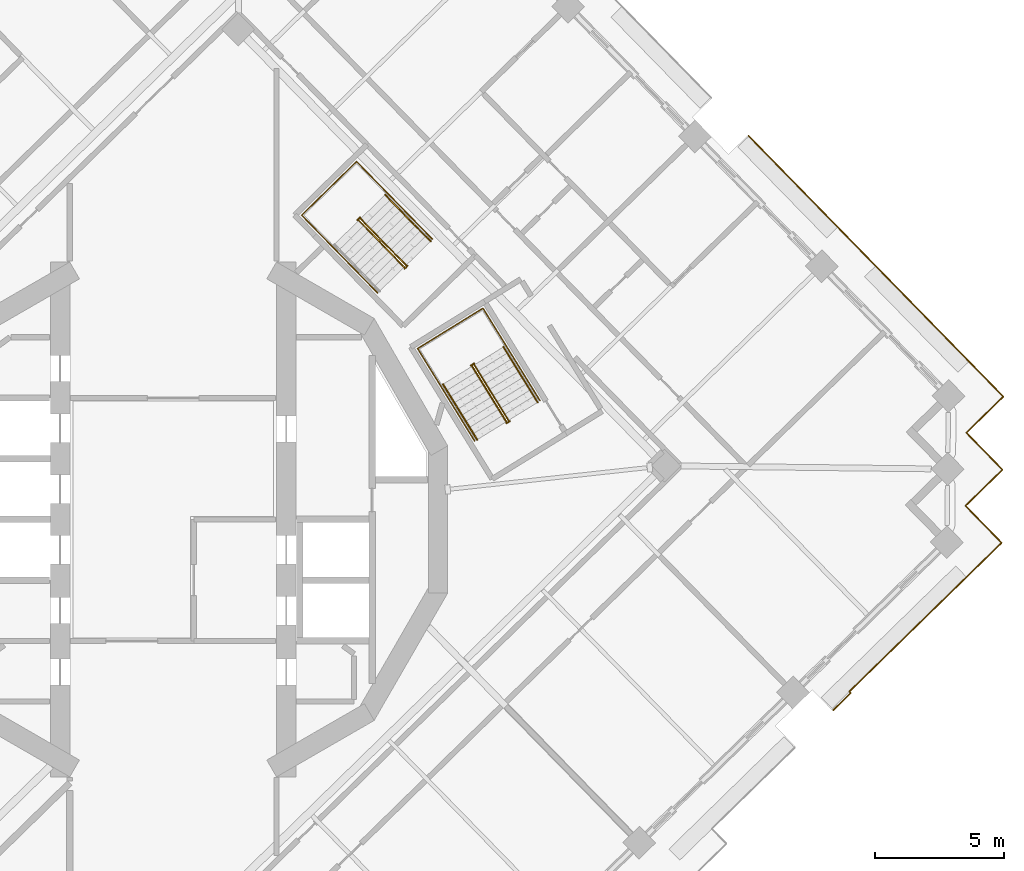
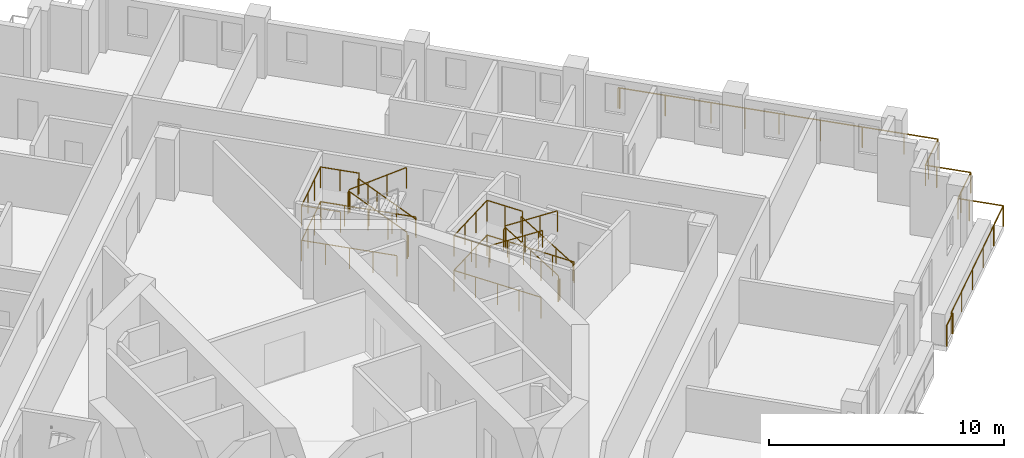
# One storey, part 17 of 19: 14 railings.
"""IFC4 building model written with IfcOpenShell, lengths in metres."""

from ifc_helpers import new_model, si_unit, direction, frame, origin, origin_2d, place, context, subcontext, project, spatial, circle, extrude, material, type_object, element, save


model = new_model("IFC4")

# Units and contexts
model_context = context("Model", 3, precision=1e-05, world=origin(), true_north=direction((0.0, 1.0)))
body_context = subcontext(model_context, "Body", "Model", "MODEL_VIEW")
ifc_project = project(units=[si_unit("LENGTHUNIT", "METRE"), si_unit("AREAUNIT", "SQUARE_METRE"), si_unit("VOLUMEUNIT", "CUBIC_METRE"), si_unit("PLANEANGLEUNIT", "RADIAN"), si_unit("MASSUNIT", "GRAM", prefix="KILO")], contexts=[model_context])

# Site, building, storey
site_placement = place(None, origin())
site = spatial("IfcSite", under=ifc_project, at=site_placement, CompositionType="ELEMENT")
building_placement = place(site_placement, origin())
building = spatial("IfcBuilding", under=site, at=building_placement, Name="Cantera Rosa Tower", CompositionType="ELEMENT")
storey_placement = place(building_placement, frame((0.0, 0.0, 241.39990234375)))
storey = spatial("IfcBuildingStorey", under=building, at=storey_placement, Name="L53", CompositionType="ELEMENT", Elevation=241.39990234375)

# Railings
ifc_material_1 = material(Name="Stainless steel and laminated glass", Category="steel")
railing_type_1 = type_object("IfcRailingType", Name="GUARD 1100", PredefinedType="BALUSTRADE", material=ifc_material_1)
railing_1_placement = place(storey_placement, frame((22.26416015625, 14.845703125, 0.0)))
element("IfcRailing", 1, at=railing_1_placement, inside=storey, type_object=railing_type_1, Name="GUARD L53-5", PredefinedType="BALUSTRADE", context=body_context, shape_type="SweptSolid", body=[
    extrude(circle(Radius=0.030029296875, at=origin_2d()), frame((0.0, 0.0, 1.070068359375), z_axis=(0.700106234421, -0.714038696798, 0.0), x_axis=(0.714038696798, 0.700106234421, 0.0)), (0.0, 0.0, 1.0), 0.070068359375),
    extrude(circle(Radius=0.030029296875, at=origin_2d()), frame((0.049072265625, -0.050048828125, 1.070068359375), z_axis=(0.698829866575, -0.715287926351, 0.0), x_axis=(0.715287926351, 0.698829866575, 0.0)), (0.0, 0.0, 1.0), 4.02001953125),
    extrude(circle(Radius=0.030029296875, at=origin_2d()), frame((2.8583984375, -2.925537109375, 1.070068359375), z_axis=(0.698839281014, -0.715278728407, 0.0), x_axis=(0.715278728407, 0.698839281014, 0.0)), (0.0, 0.0, 1.0), 3.0),
    extrude(circle(Radius=0.030029296875, at=origin_2d()), frame((4.954833984375, -5.0712890625, 1.070068359375), z_axis=(0.698810055914, -0.715307280652, 0.0), x_axis=(0.715307280652, 0.698810055914, 0.0)), (0.0, 0.0, 1.0), 5.52001953125),
    extrude(circle(Radius=0.030029296875, at=origin_2d()), frame((8.812255859375, -9.019775390625, 1.070068359375), z_axis=(0.698921594874, -0.71519829713, 0.0), x_axis=(0.71519829713, 0.698921594874, 0.0)), (0.0, 0.0, 1.0), 1.5),
    extrude(circle(Radius=0.030029296875, at=origin_2d()), frame((9.860595703125, -10.092529296875, 1.070068359375), z_axis=(-0.715277793538, -0.698840237873, 0.0), x_axis=(0.698840237873, -0.715277793538, 0.0)), (0.0, 0.0, 1.0), 1.5),
    extrude(circle(Radius=0.030029296875, at=origin_2d()), frame((8.78759765625, -11.140869140625, 1.070068359375), z_axis=(-0.715359149995, -0.698756958118, 0.0), x_axis=(0.698756958118, -0.715359149995, 0.0)), (0.0, 0.0, 1.0), 0.5),
    extrude(circle(Radius=0.030029296875, at=origin_2d()), frame((8.429931640625, -11.490234375, 1.070068359375), z_axis=(0.699006712162, -0.715115107065, 0.0), x_axis=(0.715115107065, 0.699006712162, 0.0)), (0.0, 0.0, 1.0), 0.500244140625),
    extrude(circle(Radius=0.030029296875, at=origin_2d()), frame((8.779541015625, -11.847900390625, 1.070068359375), z_axis=(0.698756958118, -0.715359149995, 0.0), x_axis=(0.715359149995, 0.698756958118, 0.0)), (0.0, 0.0, 1.0), 1.5),
    extrude(circle(Radius=0.030029296875, at=origin_2d()), frame((9.82763671875, -12.9208984375, 1.070068359375), z_axis=(-0.71519829713, -0.698921594874, 0.0), x_axis=(0.698921594874, -0.71519829713, 0.0)), (0.0, 0.0, 1.0), 1.5),
    extrude(circle(Radius=0.030029296875, at=origin_2d()), frame((8.7548828125, -13.96923828125, 1.070068359375), z_axis=(-0.715359149995, -0.698756958118, 0.0), x_axis=(0.698756958118, -0.715359149995, 0.0)), (0.0, 0.0, 1.0), 0.5),
    extrude(circle(Radius=0.030029296875, at=origin_2d()), frame((8.397216796875, -14.318603515625, 1.070068359375), z_axis=(0.698756958118, -0.715359149995, 0.0), x_axis=(0.715359149995, 0.698756958118, 0.0)), (0.0, 0.0, 1.0), 0.5),
    extrude(circle(Radius=0.030029296875, at=origin_2d()), frame((8.74658203125, -14.67626953125, 1.070068359375), z_axis=(0.698838323933, -0.71527966349, 0.0), x_axis=(0.71527966349, 0.698838323933, 0.0)), (0.0, 0.0, 1.0), 1.499755859375),
    extrude(circle(Radius=0.030029296875, at=origin_2d()), frame((9.794677734375, -15.7490234375, 1.070068359375), z_axis=(-0.71519829713, -0.698921594874, 0.0), x_axis=(0.698921594874, -0.71519829713, 0.0)), (0.0, 0.0, 1.0), 1.5),
    extrude(circle(Radius=0.030029296875, at=origin_2d()), frame((8.721923828125, -16.79736328125, 1.070068359375), z_axis=(-0.715299537719, -0.698817981551, 0.0), x_axis=(0.698817981551, -0.715299537719, 0.0)), (0.0, 0.0, 1.0), 6.739990234375),
    extrude(circle(Radius=0.030029296875, at=origin_2d()), frame((3.90087890625, -21.50732421875, 1.070068359375), z_axis=(0.699463047568, -0.714668765994, 0.0), x_axis=(0.714668765994, 0.699463047568, 0.0)), (0.0, 0.0, 1.0), 0.080322265625),
    extrude(circle(Radius=0.030029296875, at=origin_2d()), frame((3.95703125, -21.564697265625, 1.070068359375), z_axis=(-0.715280598787, -0.698837366631, 0.0), x_axis=(0.698837366631, -0.715280598787, 0.0)), (0.0, 0.0, 1.0), 0.9501953125),
    extrude(circle(Radius=0.02490234375, at=origin_2d()), origin(), (0.0, 0.0, 1.0), 1.0400390625),
    extrude(circle(Radius=0.02490234375, at=origin_2d()), frame((0.049072265625, -0.050048828125, 0.0)), (0.0, 0.0, 1.0), 1.0400390625),
    extrude(circle(Radius=0.02490234375, at=origin_2d()), frame((1.45361328125, -1.48779296875, 0.0)), (0.0, 0.0, 1.0), 1.0400390625),
    extrude(circle(Radius=0.02490234375, at=origin_2d()), frame((2.8583984375, -2.925537109375, 0.0)), (0.0, 0.0, 1.0), 1.0400390625),
    extrude(circle(Radius=0.02490234375, at=origin_2d()), frame((3.90673828125, -3.99853515625, 0.0)), (0.0, 0.0, 1.0), 1.0400390625),
    extrude(circle(Radius=0.02490234375, at=origin_2d()), frame((4.954833984375, -5.0712890625, 0.0)), (0.0, 0.0, 1.0), 1.0400390625),
    extrude(circle(Radius=0.02490234375, at=origin_2d()), frame((6.24072265625, -6.387451171875, 0.0)), (0.0, 0.0, 1.0), 1.0400390625),
    extrude(circle(Radius=0.02490234375, at=origin_2d()), frame((7.5263671875, -7.70361328125, 0.0)), (0.0, 0.0, 1.0), 1.0400390625),
    extrude(circle(Radius=0.02490234375, at=origin_2d()), frame((8.812255859375, -9.019775390625, 0.0)), (0.0, 0.0, 1.0), 1.0400390625),
    extrude(circle(Radius=0.02490234375, at=origin_2d()), frame((9.860595703125, -10.092529296875, 0.0)), (0.0, 0.0, 1.0), 1.0400390625),
    extrude(circle(Radius=0.02490234375, at=origin_2d()), frame((8.78759765625, -11.140869140625, 0.0)), (0.0, 0.0, 1.0), 1.0400390625),
    extrude(circle(Radius=0.02490234375, at=origin_2d()), frame((8.429931640625, -11.490234375, 0.0)), (0.0, 0.0, 1.0), 1.0400390625),
    extrude(circle(Radius=0.02490234375, at=origin_2d()), frame((8.779541015625, -11.847900390625, 0.0)), (0.0, 0.0, 1.0), 1.0400390625),
    extrude(circle(Radius=0.02490234375, at=origin_2d()), frame((9.82763671875, -12.9208984375, 0.0)), (0.0, 0.0, 1.0), 1.0400390625),
    extrude(circle(Radius=0.02490234375, at=origin_2d()), frame((8.7548828125, -13.96923828125, 0.0)), (0.0, 0.0, 1.0), 1.0400390625),
    extrude(circle(Radius=0.02490234375, at=origin_2d()), frame((8.397216796875, -14.318603515625, 0.0)), (0.0, 0.0, 1.0), 1.0400390625),
    extrude(circle(Radius=0.02490234375, at=origin_2d()), frame((8.74658203125, -14.67626953125, 0.0)), (0.0, 0.0, 1.0), 1.0400390625),
    extrude(circle(Radius=0.02490234375, at=origin_2d()), frame((9.794677734375, -15.7490234375, 0.0)), (0.0, 0.0, 1.0), 1.0400390625),
    extrude(circle(Radius=0.02490234375, at=origin_2d()), frame((8.721923828125, -16.79736328125, 0.0)), (0.0, 0.0, 1.0), 1.0400390625),
    extrude(circle(Radius=0.02490234375, at=origin_2d()), frame((7.5166015625, -17.974853515625, 0.0)), (0.0, 0.0, 1.0), 1.0400390625),
    extrude(circle(Radius=0.02490234375, at=origin_2d()), frame((6.3115234375, -19.15234375, 0.0)), (0.0, 0.0, 1.0), 1.0400390625),
    extrude(circle(Radius=0.02490234375, at=origin_2d()), frame((5.106201171875, -20.329833984375, 0.0)), (0.0, 0.0, 1.0), 1.0400390625),
    extrude(circle(Radius=0.02490234375, at=origin_2d()), frame((3.90087890625, -21.50732421875, 0.0)), (0.0, 0.0, 1.0), 1.0400390625),
    extrude(circle(Radius=0.02490234375, at=origin_2d()), frame((3.95703125, -21.564697265625, 0.0)), (0.0, 0.0, 1.0), 1.0400390625),
    extrude(circle(Radius=0.02490234375, at=origin_2d()), frame((3.27734375, -22.228759765625, 0.0)), (0.0, 0.0, 1.0), 1.0400390625),
])
ifc_material_2 = material(Name="Steel S355J2 (EN 10025-2)", Category="steel")
railing_type_2 = type_object("IfcRailingType", Name="STAIR GUARD 1100", PredefinedType="GUARDRAIL", material=ifc_material_2)
railing_2_placement = place(storey_placement, frame((12.9765625, 3.834228515625, 0.18017578125)))
element("IfcRailing", 2, at=railing_2_placement, inside=storey, type_object=railing_type_2, Name="L53 ST-41 stair guard 1", PredefinedType="GUARDRAIL", context=body_context, shape_type="SweptSolid", body=[
    extrude(circle(Radius=0.02392578125, at=origin_2d()), frame((0.0, 0.0, 1.076171875), z_axis=(-0.441562923896, 0.715970890813, 0.540747508315), x_axis=(-0.851145618652, -0.524929648476, 0.0)), (0.0, 0.0, 1.0), 2.99560546875),
    extrude(circle(Radius=0.02392578125, at=origin_2d()), frame((-1.32275390625, 2.144775390625, 2.69580078125), z_axis=(-0.073711968402, 0.997279572494, 0.0), x_axis=(-0.997279572494, -0.073711968402, 0.0)), (0.0, 0.0, 1.0), 0.056396484375),
    extrude(circle(Radius=0.02392578125, at=origin_2d()), frame((-1.326904296875, 2.200927734375, 2.69580078125), z_axis=(-0.851546489876, -0.524279100842, 0.0), x_axis=(0.524279100842, -0.851546489876, 0.0)), (0.0, 0.0, 1.0), 0.14990234375),
    extrude(circle(Radius=0.02099609375, at=origin_2d()), origin(), (0.0, 0.0, 1.0), 1.052001953125),
    extrude(circle(Radius=0.02099609375, at=origin_2d()), frame((-0.44091796875, 0.71484375, 0.5400390625)), (0.0, 0.0, 1.0), 1.052001953125),
    extrude(circle(Radius=0.02099609375, at=origin_2d()), frame((-0.8818359375, 1.429931640625, 1.079833984375)), (0.0, 0.0, 1.0), 1.052001953125),
    extrude(circle(Radius=0.02099609375, at=origin_2d()), frame((-1.32275390625, 2.144775390625, 1.619873046875)), (0.0, 0.0, 1.0), 1.052001953125),
    extrude(circle(Radius=0.02099609375, at=origin_2d()), frame((-1.326904296875, 2.200927734375, 1.619873046875)), (0.0, 0.0, 1.0), 1.052001953125),
    extrude(circle(Radius=0.02099609375, at=origin_2d()), frame((-1.45458984375, 2.122314453125, 1.619873046875)), (0.0, 0.0, 1.0), 1.052001953125),
])
railing_3_placement = place(storey_placement, frame((11.5703125, 5.927490234375, 1.97998046875)))
element("IfcRailing", 3, at=railing_3_placement, inside=storey, type_object=railing_type_2, Name="L53 ST-41 stair guard 2", PredefinedType="GUARDRAIL", context=body_context, shape_type="SweptSolid", body=[
    extrude(circle(Radius=0.02392578125, at=origin_2d()), frame((0.0, 0.0, 1.076171875), z_axis=(0.441609067481, -0.715913574058, 0.540785711718), x_axis=(0.851102330005, 0.524999832248, 0.0)), (0.0, 0.0, 1.0), 2.995849609375),
    extrude(circle(Radius=0.02099609375, at=origin_2d()), origin(), (0.0, 0.0, 1.0), 1.052001953125),
    extrude(circle(Radius=0.02099609375, at=origin_2d()), frame((0.44091796875, -0.71484375, 0.5400390625)), (0.0, 0.0, 1.0), 1.052001953125),
    extrude(circle(Radius=0.02099609375, at=origin_2d()), frame((0.882080078125, -1.429931640625, 1.080078125)), (0.0, 0.0, 1.0), 1.052001953125),
    extrude(circle(Radius=0.02099609375, at=origin_2d()), frame((1.322998046875, -2.144775390625, 1.6201171875)), (0.0, 0.0, 1.0), 1.052001953125),
])
railing_4_placement = place(storey_placement, frame((13.025146484375, 3.80517578125, 0.0)))
element("IfcRailing", 4, at=railing_4_placement, inside=storey, type_object=railing_type_2, Name="L53 ST-41 stair guard 3", PredefinedType="GUARDRAIL", context=body_context, shape_type="SweptSolid", body=[
    extrude(circle(Radius=0.02392578125, at=origin_2d()), frame((0.0, 0.0, 1.076171875), z_axis=(-0.851546489876, -0.524279100842, 0.0), x_axis=(0.524279100842, -0.851546489876, 0.0)), (0.0, 0.0, 1.0), 0.14990234375),
    extrude(circle(Radius=0.02099609375, at=origin_2d()), origin(), (0.0, 0.0, 1.0), 1.052001953125),
    extrude(circle(Radius=0.02099609375, at=origin_2d()), frame((-0.127685546875, -0.07861328125, 0.0)), (0.0, 0.0, 1.0), 1.052001953125),
])
railing_5_placement = place(storey_placement, frame((14.192626953125, 4.59814453125, 0.0)))
element("IfcRailing", 5, at=railing_5_placement, inside=storey, type_object=railing_type_2, Name="L53 ST-41 stair guard 4", PredefinedType="GUARDRAIL", context=body_context, shape_type="SweptSolid", body=[
    extrude(circle(Radius=0.02392578125, at=origin_2d()), frame((0.0, 0.0, 1.076171875), z_axis=(-0.524976478809, 0.851116735059, 0.0), x_axis=(-0.851116735059, -0.524976478809, 0.0)), (0.0, 0.0, 1.0), 4.197998046875),
    extrude(circle(Radius=0.02392578125, at=origin_2d()), frame((-2.203857421875, 3.572998046875, 1.076171875), z_axis=(-0.851132917336, -0.524950242429, 0.0), x_axis=(0.524950242429, -0.851132917336, 0.0)), (0.0, 0.0, 1.0), 2.969970703125),
    extrude(circle(Radius=0.02392578125, at=origin_2d()), frame((-4.731689453125, 2.013916015625, 1.076171875), z_axis=(0.524976478809, -0.851116735059, 0.0), x_axis=(0.851116735059, 0.524976478809, 0.0)), (0.0, 0.0, 1.0), 4.197998046875),
    extrude(circle(Radius=0.02099609375, at=origin_2d()), origin(), (0.0, 0.0, 1.0), 1.052001953125),
    extrude(circle(Radius=0.02099609375, at=origin_2d()), frame((-0.551025390625, 0.893310546875, 0.0)), (0.0, 0.0, 1.0), 1.052001953125),
    extrude(circle(Radius=0.02099609375, at=origin_2d()), frame((-1.10205078125, 1.78662109375, 0.0)), (0.0, 0.0, 1.0), 1.052001953125),
    extrude(circle(Radius=0.02099609375, at=origin_2d()), frame((-1.65283203125, 2.6796875, 0.0)), (0.0, 0.0, 1.0), 1.052001953125),
    extrude(circle(Radius=0.02099609375, at=origin_2d()), frame((-2.203857421875, 3.572998046875, 0.0)), (0.0, 0.0, 1.0), 1.052001953125),
    extrude(circle(Radius=0.02099609375, at=origin_2d()), frame((-3.04638671875, 3.05322265625, 0.0)), (0.0, 0.0, 1.0), 1.052001953125),
    extrude(circle(Radius=0.02099609375, at=origin_2d()), frame((-3.88916015625, 2.53369140625, 0.0)), (0.0, 0.0, 1.0), 1.052001953125),
    extrude(circle(Radius=0.02099609375, at=origin_2d()), frame((-4.731689453125, 2.013916015625, 0.0)), (0.0, 0.0, 1.0), 1.052001953125),
    extrude(circle(Radius=0.02099609375, at=origin_2d()), frame((-4.1806640625, 1.12060546875, 0.0)), (0.0, 0.0, 1.0), 1.052001953125),
    extrude(circle(Radius=0.02099609375, at=origin_2d()), frame((-3.6298828125, 0.2275390625, 0.0)), (0.0, 0.0, 1.0), 1.052001953125),
    extrude(circle(Radius=0.02099609375, at=origin_2d()), frame((-3.078857421875, -0.665771484375, 0.0)), (0.0, 0.0, 1.0), 1.052001953125),
    extrude(circle(Radius=0.02099609375, at=origin_2d()), frame((-2.52783203125, -1.55908203125, 0.0)), (0.0, 0.0, 1.0), 1.052001953125),
])
railing_6_placement = place(storey_placement, frame((12.88232421875, 6.72265625, 1.800048828125)))
element("IfcRailing", 6, at=railing_6_placement, inside=storey, type_object=railing_type_2, Name="L53 ST-41 stair guard 5", PredefinedType="GUARDRAIL", context=body_context, shape_type="SweptSolid", body=[
    extrude(circle(Radius=0.02392578125, at=origin_2d()), frame((0.0, 0.0, 1.076171875), z_axis=(-0.525025534833, 0.851086474909, 0.0), x_axis=(-0.851086474909, -0.525025534833, 0.0)), (0.0, 0.0, 1.0), 1.701904296875),
    extrude(circle(Radius=0.02392578125, at=origin_2d()), frame((-0.8935546875, 1.448486328125, 1.076171875), z_axis=(-0.851132917336, -0.524950242429, 0.0), x_axis=(0.524950242429, -0.851132917336, 0.0)), (0.0, 0.0, 1.0), 2.969970703125),
    extrude(circle(Radius=0.02392578125, at=origin_2d()), frame((-3.42138671875, -0.110595703125, 1.076171875), z_axis=(0.524961441845, -0.851126009811, 0.0), x_axis=(0.851126009811, 0.524961441845, 0.0)), (0.0, 0.0, 1.0), 1.7021484375),
    extrude(circle(Radius=0.02099609375, at=origin_2d()), origin(), (0.0, 0.0, 1.0), 1.052001953125),
    extrude(circle(Radius=0.02099609375, at=origin_2d()), frame((-0.44677734375, 0.72412109375, 0.0)), (0.0, 0.0, 1.0), 1.052001953125),
    extrude(circle(Radius=0.02099609375, at=origin_2d()), frame((-0.8935546875, 1.448486328125, 0.0)), (0.0, 0.0, 1.0), 1.052001953125),
    extrude(circle(Radius=0.02099609375, at=origin_2d()), frame((-1.736083984375, 0.9287109375, 0.0)), (0.0, 0.0, 1.0), 1.052001953125),
    extrude(circle(Radius=0.02099609375, at=origin_2d()), frame((-2.578857421875, 0.4091796875, 0.0)), (0.0, 0.0, 1.0), 1.052001953125),
    extrude(circle(Radius=0.02099609375, at=origin_2d()), frame((-3.42138671875, -0.110595703125, 0.0)), (0.0, 0.0, 1.0), 1.052001953125),
    extrude(circle(Radius=0.02099609375, at=origin_2d()), frame((-2.974609375, -0.8349609375, 0.0)), (0.0, 0.0, 1.0), 1.052001953125),
    extrude(circle(Radius=0.02099609375, at=origin_2d()), frame((-2.52783203125, -1.559326171875, 0.0)), (0.0, 0.0, 1.0), 1.052001953125),
])
railing_7_placement = place(storey_placement, frame((9.013427734375, 9.832763671875, 0.18017578125)))
element("IfcRailing", 7, at=railing_7_placement, inside=storey, type_object=railing_type_2, Name="L53 ST-42 stair guard 1", PredefinedType="GUARDRAIL", context=body_context, shape_type="SweptSolid", body=[
    extrude(circle(Radius=0.02392578125, at=origin_2d()), frame((0.0, 0.0, 1.076171875), z_axis=(-0.587844099419, 0.60169873645, 0.540738333515), x_axis=(-0.715293958342, -0.698823692472, 0.0)), (0.0, 0.0, 1.0), 2.99560546875),
    extrude(circle(Radius=0.02392578125, at=origin_2d()), frame((-1.760986328125, 1.802490234375, 2.69580078125), z_axis=(-0.290127576896, 0.956987977523, 0.0), x_axis=(-0.956987977523, -0.290127576896, 0.0)), (0.0, 0.0, 1.0), 0.056396484375),
    extrude(circle(Radius=0.02392578125, at=origin_2d()), frame((-1.77734375, 1.8564453125, 2.69580078125), z_axis=(-0.71600013962, -0.69810013613, 0.0), x_axis=(0.69810013613, -0.71600013962, 0.0)), (0.0, 0.0, 1.0), 0.150146484375),
    extrude(circle(Radius=0.02099609375, at=origin_2d()), origin(), (0.0, 0.0, 1.0), 1.052001953125),
    extrude(circle(Radius=0.02099609375, at=origin_2d()), frame((-0.5869140625, 0.600830078125, 0.5400390625)), (0.0, 0.0, 1.0), 1.052001953125),
    extrude(circle(Radius=0.02099609375, at=origin_2d()), frame((-1.174072265625, 1.20166015625, 1.079833984375)), (0.0, 0.0, 1.0), 1.052001953125),
    extrude(circle(Radius=0.02099609375, at=origin_2d()), frame((-1.760986328125, 1.802490234375, 1.619873046875)), (0.0, 0.0, 1.0), 1.052001953125),
    extrude(circle(Radius=0.02099609375, at=origin_2d()), frame((-1.77734375, 1.8564453125, 1.619873046875)), (0.0, 0.0, 1.0), 1.052001953125),
    extrude(circle(Radius=0.02099609375, at=origin_2d()), frame((-1.884765625, 1.751708984375, 1.619873046875)), (0.0, 0.0, 1.0), 1.052001953125),
])
railing_8_placement = place(storey_placement, frame((7.182373046875, 11.56689453125, 1.97998046875)))
element("IfcRailing", 8, at=railing_8_placement, inside=storey, type_object=railing_type_2, Name="L53 ST-42 stair guard 2", PredefinedType="GUARDRAIL", context=body_context, shape_type="SweptSolid", body=[
    extrude(circle(Radius=0.02392578125, at=origin_2d()), frame((0.0, 0.0, 1.076171875), z_axis=(0.587818193466, -0.601672219931, 0.54079599776), x_axis=(0.715293958342, 0.698823692472, 0.0)), (0.0, 0.0, 1.0), 2.995849609375),
    extrude(circle(Radius=0.02099609375, at=origin_2d()), origin(), (0.0, 0.0, 1.0), 1.052001953125),
    extrude(circle(Radius=0.02099609375, at=origin_2d()), frame((0.5869140625, -0.600830078125, 0.5400390625)), (0.0, 0.0, 1.0), 1.052001953125),
    extrude(circle(Radius=0.02099609375, at=origin_2d()), frame((1.174072265625, -1.20166015625, 1.080078125)), (0.0, 0.0, 1.0), 1.052001953125),
    extrude(circle(Radius=0.02099609375, at=origin_2d()), frame((1.760986328125, -1.802490234375, 1.6201171875)), (0.0, 0.0, 1.0), 1.052001953125),
])
railing_9_placement = place(storey_placement, frame((9.06689453125, 9.815185546875, 0.0)))
element("IfcRailing", 9, at=railing_9_placement, inside=storey, type_object=railing_type_2, Name="L53 ST-42 stair guard 3", PredefinedType="GUARDRAIL", context=body_context, shape_type="SweptSolid", body=[
    extrude(circle(Radius=0.02392578125, at=origin_2d()), frame((0.0, 0.0, 1.076171875), z_axis=(-0.715205710557, -0.698914008722, 0.0), x_axis=(0.698914008722, -0.715205710557, 0.0)), (0.0, 0.0, 1.0), 0.14990234375),
    extrude(circle(Radius=0.02099609375, at=origin_2d()), origin(), (0.0, 0.0, 1.0), 1.052001953125),
    extrude(circle(Radius=0.02099609375, at=origin_2d()), frame((-0.107177734375, -0.104736328125, 0.0)), (0.0, 0.0, 1.0), 1.052001953125),
])
railing_10_placement = place(storey_placement, frame((10.0322265625, 10.844970703125, 0.0)))
element("IfcRailing", 10, at=railing_10_placement, inside=storey, type_object=railing_type_2, Name="L53 ST-42 stair guard 4", PredefinedType="GUARDRAIL", context=body_context, shape_type="SweptSolid", body=[
    extrude(circle(Radius=0.02392578125, at=origin_2d()), frame((0.0, 0.0, 1.076171875), z_axis=(-0.698859254364, 0.715259213566, 0.0), x_axis=(-0.715259213566, -0.698859254364, 0.0)), (0.0, 0.0, 1.0), 4.197998046875),
    extrude(circle(Radius=0.02392578125, at=origin_2d()), frame((-2.933837890625, 3.002685546875, 1.076171875), z_axis=(-0.715279654138, -0.698838333505, 0.0), x_axis=(0.698838333505, -0.715279654138, 0.0)), (0.0, 0.0, 1.0), 2.9697265625),
    extrude(circle(Radius=0.02392578125, at=origin_2d()), frame((-5.05810546875, 0.92724609375, 1.076171875), z_axis=(0.698829500247, -0.715288284249, 0.0), x_axis=(0.715288284249, 0.698829500247, 0.0)), (0.0, 0.0, 1.0), 4.19775390625),
    extrude(circle(Radius=0.02099609375, at=origin_2d()), origin(), (0.0, 0.0, 1.0), 1.052001953125),
    extrude(circle(Radius=0.02099609375, at=origin_2d()), frame((-0.7333984375, 0.750732421875, 0.0)), (0.0, 0.0, 1.0), 1.052001953125),
    extrude(circle(Radius=0.02099609375, at=origin_2d()), frame((-1.466796875, 1.50146484375, 0.0)), (0.0, 0.0, 1.0), 1.052001953125),
    extrude(circle(Radius=0.02099609375, at=origin_2d()), frame((-2.200439453125, 2.251953125, 0.0)), (0.0, 0.0, 1.0), 1.052001953125),
    extrude(circle(Radius=0.02099609375, at=origin_2d()), frame((-2.933837890625, 3.002685546875, 0.0)), (0.0, 0.0, 1.0), 1.052001953125),
    extrude(circle(Radius=0.02099609375, at=origin_2d()), frame((-3.641845703125, 2.310791015625, 0.0)), (0.0, 0.0, 1.0), 1.052001953125),
    extrude(circle(Radius=0.02099609375, at=origin_2d()), frame((-4.35009765625, 1.619140625, 0.0)), (0.0, 0.0, 1.0), 1.052001953125),
    extrude(circle(Radius=0.02099609375, at=origin_2d()), frame((-5.05810546875, 0.92724609375, 0.0)), (0.0, 0.0, 1.0), 1.052001953125),
    extrude(circle(Radius=0.02099609375, at=origin_2d()), frame((-4.32470703125, 0.176513671875, 0.0)), (0.0, 0.0, 1.0), 1.052001953125),
    extrude(circle(Radius=0.02099609375, at=origin_2d()), frame((-3.59130859375, -0.57421875, 0.0)), (0.0, 0.0, 1.0), 1.052001953125),
    extrude(circle(Radius=0.02099609375, at=origin_2d()), frame((-2.85791015625, -1.32470703125, 0.0)), (0.0, 0.0, 1.0), 1.052001953125),
    extrude(circle(Radius=0.02099609375, at=origin_2d()), frame((-2.12451171875, -2.075439453125, 0.0)), (0.0, 0.0, 1.0), 1.052001953125),
])
railing_11_placement = place(storey_placement, frame((8.287841796875, 12.63037109375, 1.800048828125)))
element("IfcRailing", 11, at=railing_11_placement, inside=storey, type_object=railing_type_2, Name="L53 ST-42 stair guard 5", PredefinedType="GUARDRAIL", context=body_context, shape_type="SweptSolid", body=[
    extrude(circle(Radius=0.02392578125, at=origin_2d()), frame((0.0, 0.0, 1.076171875), z_axis=(-0.698882919007, 0.715236090757, 0.0), x_axis=(-0.715236090757, -0.698882919007, 0.0)), (0.0, 0.0, 1.0), 1.701904296875),
    extrude(circle(Radius=0.02392578125, at=origin_2d()), frame((-1.189453125, 1.21728515625, 1.076171875), z_axis=(-0.715279654138, -0.698838333505, 0.0), x_axis=(0.698838333505, -0.715279654138, 0.0)), (0.0, 0.0, 1.0), 2.9697265625),
    extrude(circle(Radius=0.02392578125, at=origin_2d()), frame((-3.313720703125, -0.858154296875, 1.076171875), z_axis=(0.698811217595, -0.715306145761, 0.0), x_axis=(0.715306145761, 0.698811217595, 0.0)), (0.0, 0.0, 1.0), 1.7021484375),
    extrude(circle(Radius=0.02099609375, at=origin_2d()), origin(), (0.0, 0.0, 1.0), 1.052001953125),
    extrude(circle(Radius=0.02099609375, at=origin_2d()), frame((-0.5947265625, 0.608642578125, 0.0)), (0.0, 0.0, 1.0), 1.052001953125),
    extrude(circle(Radius=0.02099609375, at=origin_2d()), frame((-1.189453125, 1.21728515625, 0.0)), (0.0, 0.0, 1.0), 1.052001953125),
    extrude(circle(Radius=0.02099609375, at=origin_2d()), frame((-1.8974609375, 0.525390625, 0.0)), (0.0, 0.0, 1.0), 1.052001953125),
    extrude(circle(Radius=0.02099609375, at=origin_2d()), frame((-2.605712890625, -0.166259765625, 0.0)), (0.0, 0.0, 1.0), 1.052001953125),
    extrude(circle(Radius=0.02099609375, at=origin_2d()), frame((-3.313720703125, -0.858154296875, 0.0)), (0.0, 0.0, 1.0), 1.052001953125),
    extrude(circle(Radius=0.02099609375, at=origin_2d()), frame((-2.718994140625, -1.466796875, 0.0)), (0.0, 0.0, 1.0), 1.052001953125),
    extrude(circle(Radius=0.02099609375, at=origin_2d()), frame((-2.124267578125, -2.07568359375, 0.0)), (0.0, 0.0, 1.0), 1.052001953125),
])
ifc_material_3 = material(Name="Steel S355J2 (EN 10025-2)", Category="steel")
railing_type_3 = type_object("IfcRailingType", Name="STAIR HANDRAIL 900", PredefinedType="HANDRAIL", material=ifc_material_3)
railing_12_placement = place(storey_placement, frame((14.105224609375, 4.5302734375, 0.18017578125)))
element("IfcRailing", 12, at=railing_12_placement, inside=storey, type_object=railing_type_3, Name="L53 ST-41 stair handrail 1", PredefinedType="HANDRAIL", context=body_context, shape_type="SweptSolid", body=[
    extrude(circle(Radius=0.02392578125, at=origin_2d()), frame((0.0, 0.0, 0.8759765625), z_axis=(-0.441628529057, 0.715945124149, 0.540728047664), x_axis=(-0.851102330005, -0.524999832248, 0.0)), (0.0, 0.0, 1.0), 2.99560546875),
    extrude(circle(Radius=0.02099609375, at=origin_2d()), origin(), (0.0, 0.0, 1.0), 0.851806640625),
    extrude(circle(Radius=0.02099609375, at=origin_2d()), frame((-0.44091796875, 0.71484375, 0.5400390625)), (0.0, 0.0, 1.0), 0.851806640625),
    extrude(circle(Radius=0.02099609375, at=origin_2d()), frame((-0.882080078125, 1.429931640625, 1.079833984375)), (0.0, 0.0, 1.0), 0.851806640625),
    extrude(circle(Radius=0.02099609375, at=origin_2d()), frame((-1.322998046875, 2.144775390625, 1.619873046875)), (0.0, 0.0, 1.0), 0.851806640625),
])
railing_13_placement = place(storey_placement, frame((10.441650390625, 5.2314453125, 1.97998046875)))
element("IfcRailing", 13, at=railing_13_placement, inside=storey, type_object=railing_type_3, Name="L53 ST-41 stair handrail 2", PredefinedType="HANDRAIL", context=body_context, shape_type="SweptSolid", body=[
    extrude(circle(Radius=0.02392578125, at=origin_2d()), frame((0.0, 0.0, 0.8759765625), z_axis=(0.441609067481, -0.715913574058, 0.540785711718), x_axis=(0.851102330005, 0.524999832248, 0.0)), (0.0, 0.0, 1.0), 2.995849609375),
    extrude(circle(Radius=0.02099609375, at=origin_2d()), origin(), (0.0, 0.0, 1.0), 0.851806640625),
    extrude(circle(Radius=0.02099609375, at=origin_2d()), frame((0.44091796875, -0.71484375, 0.5400390625)), (0.0, 0.0, 1.0), 0.851806640625),
    extrude(circle(Radius=0.02099609375, at=origin_2d()), frame((0.882080078125, -1.429931640625, 1.080078125)), (0.0, 0.0, 1.0), 0.851806640625),
    extrude(circle(Radius=0.02099609375, at=origin_2d()), frame((1.322998046875, -2.144775390625, 1.6201171875)), (0.0, 0.0, 1.0), 0.851806640625),
])
railing_14_placement = place(storey_placement, frame((9.9619140625, 10.759521484375, 0.18017578125)))
element("IfcRailing", 14, at=railing_14_placement, inside=storey, type_object=railing_type_3, Name="L53 ST-42 stair handrail 1", PredefinedType="HANDRAIL", context=body_context, shape_type="SweptSolid", body=[
    extrude(circle(Radius=0.02392578125, at=origin_2d()), frame((0.0, 0.0, 0.8759765625), z_axis=(-0.587844099419, 0.60169873645, 0.540738333515), x_axis=(-0.715293958342, -0.698823692472, 0.0)), (0.0, 0.0, 1.0), 2.99560546875),
    extrude(circle(Radius=0.02099609375, at=origin_2d()), origin(), (0.0, 0.0, 1.0), 0.851806640625),
    extrude(circle(Radius=0.02099609375, at=origin_2d()), frame((-0.5869140625, 0.600830078125, 0.5400390625)), (0.0, 0.0, 1.0), 0.851806640625),
    extrude(circle(Radius=0.02099609375, at=origin_2d()), frame((-1.174072265625, 1.20166015625, 1.079833984375)), (0.0, 0.0, 1.0), 0.851806640625),
    extrude(circle(Radius=0.02099609375, at=origin_2d()), frame((-1.760986328125, 1.802490234375, 1.619873046875)), (0.0, 0.0, 1.0), 0.851806640625),
])

save(model, "model.ifc")
